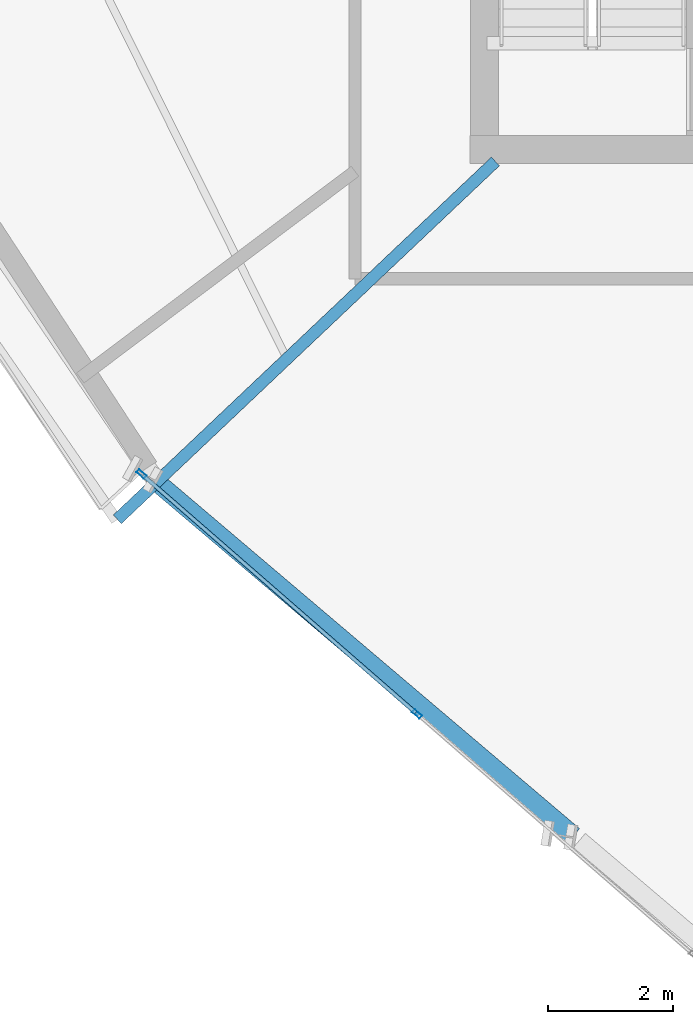
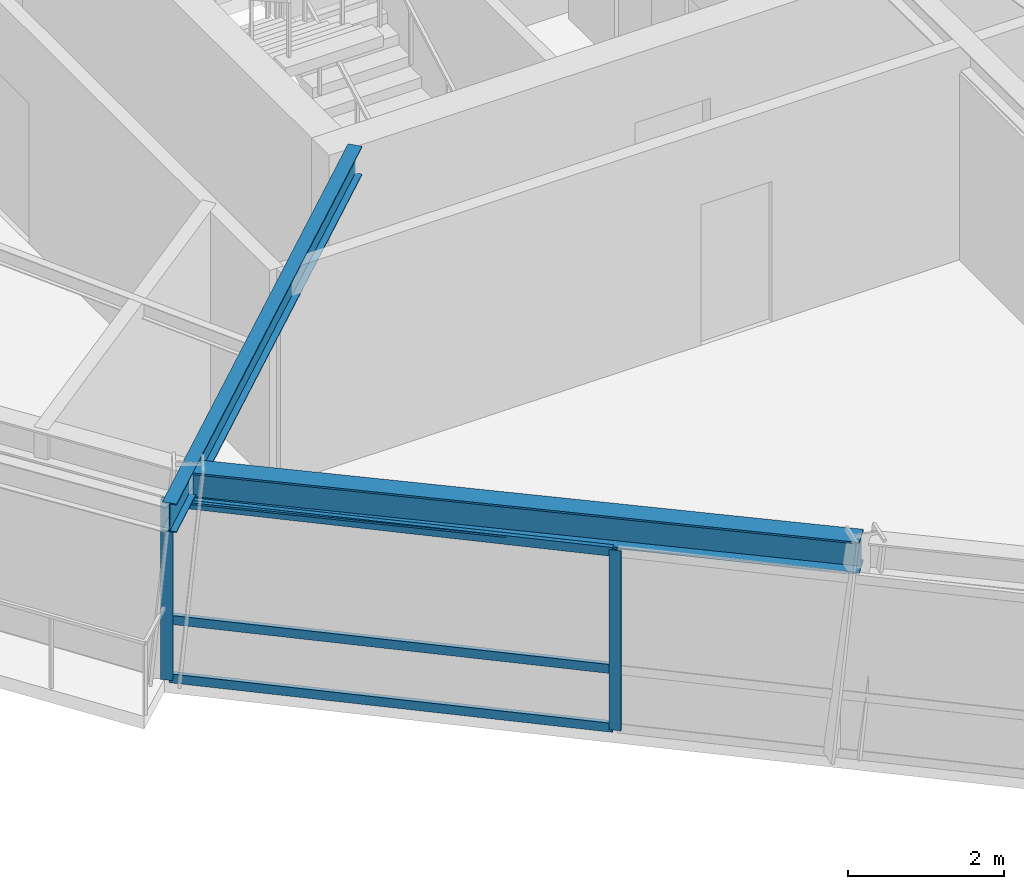
# One storey, part 2 of 13: 5 members, 2 beams, 1 element without a shape of its own.
"""IFC4 building model written with IfcOpenShell, lengths in metres."""

from ifc_helpers import new_model, si_unit, direction, frame, origin, origin_2d, place, context, subcontext, project, spatial, hollow_rectangle, i_section, extrude, source, transform, mapped, material, material_profile, profile_set, type_object, element, aggregate, save


model = new_model("IFC4")

# Units and contexts
model_context = context("Model", 3, precision=1e-05, world=origin(), true_north=direction((0.0, 1.0)))
body_context = subcontext(model_context, "Body", "Model", "MODEL_VIEW")
ifc_project = project(units=[si_unit("LENGTHUNIT", "METRE"), si_unit("AREAUNIT", "SQUARE_METRE"), si_unit("VOLUMEUNIT", "CUBIC_METRE"), si_unit("PLANEANGLEUNIT", "RADIAN"), si_unit("MASSUNIT", "GRAM", prefix="KILO")], contexts=[model_context])

# Site, building, storey
site_placement = place(None, origin())
site = spatial("IfcSite", under=ifc_project, at=site_placement, CompositionType="ELEMENT")
building_placement = place(site_placement, origin())
building = spatial("IfcBuilding", under=site, at=building_placement, Name="Olszyna Solenne Hotel", CompositionType="ELEMENT")
storey_placement = place(building_placement, frame((0.0, 0.0, 209.60009765625)))
storey = spatial("IfcBuildingStorey", under=building, at=storey_placement, Name="L55", CompositionType="ELEMENT", Elevation=209.60009765625)

# Beams
ifc_material_1 = material(Name="Steel S355J2", Category="steel")
ifc_material_profile_1 = material_profile(ifc_material_1, i_section(OverallWidth=0.300048828125, OverallDepth=0.5, WebThickness=0.014404296875, FlangeThickness=0.028076171875, at=origin_2d()), Name="HEB 500", Category="load-bearing")
ifc_profile_set_1 = profile_set([ifc_material_profile_1], Name="Steel S355J2")
beam_type_1 = type_object("IfcBeamType", Name="BM-S3", PredefinedType="BEAM", material=ifc_profile_set_1)
shared_shape_1 = source(origin(), body_context, "Body", "SweptSolid", [
    extrude(i_section(OverallWidth=0.300048828125, OverallDepth=0.5, WebThickness=0.014404296875, FlangeThickness=0.028076171875, at=origin_2d()), origin(), (0.0, 0.0, 1.0), 8.718994140625),
])
beam_1_placement = place(storey_placement, frame((24.660400390625, 13.90087890625, 3.079833984375), z_axis=(0.762522111638, -0.646962154429, 0.0), x_axis=(0.646962154429, 0.762522111638, 0.0)))
element("IfcBeam", 1, at=beam_1_placement, inside=storey, type_object=beam_type_1, Name="Perimeter spandrel beam BM-S3 B-L55-1627", PredefinedType="BEAM", context=body_context, shape_type="MappedRepresentation", body=[
    mapped(shared_shape_1, transform((0.0, 0.0, 0.0), x_axis=(1.0, 0.0, 0.0), y_axis=(0.0, 1.0, 0.0), z_axis=(0.0, 0.0, 1.0), scale=1.0)),
])
ifc_material_profile_2 = material_profile(ifc_material_1, i_section(OverallWidth=0.18994140625, OverallDepth=0.449951171875, WebThickness=0.009521484375, FlangeThickness=0.0146484375, at=origin_2d()), Name="IPE 450", Category="load-bearing")
ifc_profile_set_2 = profile_set([ifc_material_profile_2], Name="Steel S355J2")
beam_type_2 = type_object("IfcBeamType", Name="BM-F4", PredefinedType="BEAM", material=ifc_profile_set_2)
shared_shape_2 = source(origin(), body_context, "Body", "SweptSolid", [
    extrude(i_section(OverallWidth=0.18994140625, OverallDepth=0.449951171875, WebThickness=0.009521484375, FlangeThickness=0.0146484375, at=origin_2d()), origin(), (0.0, 0.0, 1.0), 8.357421875),
])
beam_2_placement = place(storey_placement, frame((23.984619140625, 13.339111328125, 3.10498046875), z_axis=(0.726223600467, 0.68745856757, 0.0), x_axis=(-0.68745856757, 0.726223600467, 0.0)))
element("IfcBeam", 2, at=beam_2_placement, inside=storey, type_object=beam_type_2, Name="Radial floor girder BM-F4 B-L55-1638", PredefinedType="BEAM", context=body_context, shape_type="MappedRepresentation", body=[
    mapped(shared_shape_2, transform((0.0, 0.0, 0.0), x_axis=(1.0, 0.0, 0.0), y_axis=(0.0, 1.0, 0.0), z_axis=(0.0, 0.0, 1.0), scale=1.0)),
])

# Curtain wall, members
ifc_material_2 = material(Name="Anodised bronze aluminium", Category="aluminium")
curtain_wall_type = type_object("IfcCurtainWallType", Name="CW-SYS-4", PredefinedType="NOTDEFINED", material=ifc_material_2)
curtain_wall_placement = place(storey_placement, origin())
curtain_wall = element("IfcCurtainWall", 3, at=curtain_wall_placement, inside=storey, type_object=curtain_wall_type, Name="Unitised curtain wall CW-SYS-4 CW-L55-01", PredefinedType="NOTDEFINED")
ifc_material_profile_3 = material_profile(ifc_material_2, hollow_rectangle(XDim=0.06494140625, YDim=0.159912109375, WallThickness=0.00390625, at=origin_2d()), Name="MULL 160x65x4", Category="load-bearing")
ifc_profile_set_3 = profile_set([ifc_material_profile_3], Name="Anodised bronze aluminium")
member_type_1 = type_object("IfcMemberType", Name="CW-M3", PredefinedType="MULLION", material=ifc_profile_set_3)
shared_shape_3 = source(origin(), body_context, "Body", "SweptSolid", [
    extrude(hollow_rectangle(XDim=0.06494140625, YDim=0.159912109375, WallThickness=0.00390625, at=origin_2d()), origin(), (0.0, 0.0, 1.0), 2.822021484375),
])
member_1_placement = place(storey_placement, frame((24.371826171875, 14.067138671875, 0.0), z_axis=(0.0, 0.0, 1.0), x_axis=(0.656788104836, 0.754075185473, 0.0)))
member_1 = element("IfcMember", 4, at=member_1_placement, type_object=member_type_1, Name="Curtain-wall mullion CW-M3 CM-L55-01-01", PredefinedType="MULLION", context=body_context, shape_type="MappedRepresentation", body=[
    mapped(shared_shape_3, transform((0.0, 0.0, 0.0), x_axis=(1.0, 0.0, 0.0), y_axis=(0.0, 1.0, 0.0), z_axis=(0.0, 0.0, 1.0), scale=1.0)),
])
member_2_placement = place(storey_placement, frame((28.794921875, 10.214599609375, 0.0), z_axis=(0.0, 0.0, 1.0), x_axis=(0.656788104836, 0.754075185473, 0.0)))
member_2 = element("IfcMember", 5, at=member_2_placement, type_object=member_type_1, Name="Curtain-wall mullion CW-M3 CM-L55-01-02", PredefinedType="MULLION", context=body_context, shape_type="MappedRepresentation", body=[
    mapped(shared_shape_3, transform((0.0, 0.0, 0.0), x_axis=(1.0, 0.0, 0.0), y_axis=(0.0, 1.0, 0.0), z_axis=(0.0, 0.0, 1.0), scale=1.0)),
])
ifc_material_profile_4 = material_profile(ifc_material_2, hollow_rectangle(XDim=0.06494140625, YDim=0.139892578125, WallThickness=0.00390625, at=origin_2d()), Name="TRAN 140x65x4", Category="load-bearing")
ifc_profile_set_4 = profile_set([ifc_material_profile_4], Name="Anodised bronze aluminium")
member_type_2 = type_object("IfcMemberType", Name="CW-T2", PredefinedType="USERDEFINED", material=ifc_profile_set_4)
shared_shape_4 = source(origin(), body_context, "Body", "SweptSolid", [
    extrude(hollow_rectangle(XDim=0.06494140625, YDim=0.139892578125, WallThickness=0.00390625, at=origin_2d()), origin(), (0.0, 0.0, 1.0), 5.801025390625),
])
member_3_placement = place(storey_placement, frame((24.396240234375, 14.0458984375, 0.032470703125), z_axis=(0.754063441135, -0.656801588567, 0.0), x_axis=(0.656801588567, 0.754063441135, 0.0)))
member_3 = element("IfcMember", 6, at=member_3_placement, type_object=member_type_2, Name="Curtain-wall transom CW-T2 CT-L55-01-01", ObjectType="TRANSOM", PredefinedType="USERDEFINED", context=body_context, shape_type="MappedRepresentation", body=[
    mapped(shared_shape_4, transform((0.0, 0.0, 0.0), x_axis=(1.0, 0.0, 0.0), y_axis=(0.0, 1.0, 0.0), z_axis=(0.0, 0.0, 1.0), scale=1.0)),
])
member_4_placement = place(storey_placement, frame((24.396240234375, 14.0458984375, 0.949951171875), z_axis=(0.754063441135, -0.656801588567, 0.0), x_axis=(0.656801588567, 0.754063441135, 0.0)))
member_4 = element("IfcMember", 7, at=member_4_placement, type_object=member_type_2, Name="Curtain-wall transom CW-T2 CT-L55-01-02", ObjectType="TRANSOM", PredefinedType="USERDEFINED", context=body_context, shape_type="MappedRepresentation", body=[
    mapped(shared_shape_4, transform((0.0, 0.0, 0.0), x_axis=(1.0, 0.0, 0.0), y_axis=(0.0, 1.0, 0.0), z_axis=(0.0, 0.0, 1.0), scale=1.0)),
])
member_5_placement = place(storey_placement, frame((24.396240234375, 14.0458984375, 2.789306640625), z_axis=(0.754063441135, -0.656801588567, 0.0), x_axis=(0.656801588567, 0.754063441135, 0.0)))
member_5 = element("IfcMember", 8, at=member_5_placement, type_object=member_type_2, Name="Curtain-wall transom CW-T2 CT-L55-01-03", ObjectType="TRANSOM", PredefinedType="USERDEFINED", context=body_context, shape_type="MappedRepresentation", body=[
    mapped(shared_shape_4, transform((0.0, 0.0, 0.0), x_axis=(1.0, 0.0, 0.0), y_axis=(0.0, 1.0, 0.0), z_axis=(0.0, 0.0, 1.0), scale=1.0)),
])
aggregate(curtain_wall, [member_1, member_2, member_3, member_4, member_5])

save(model, "model.ifc")
